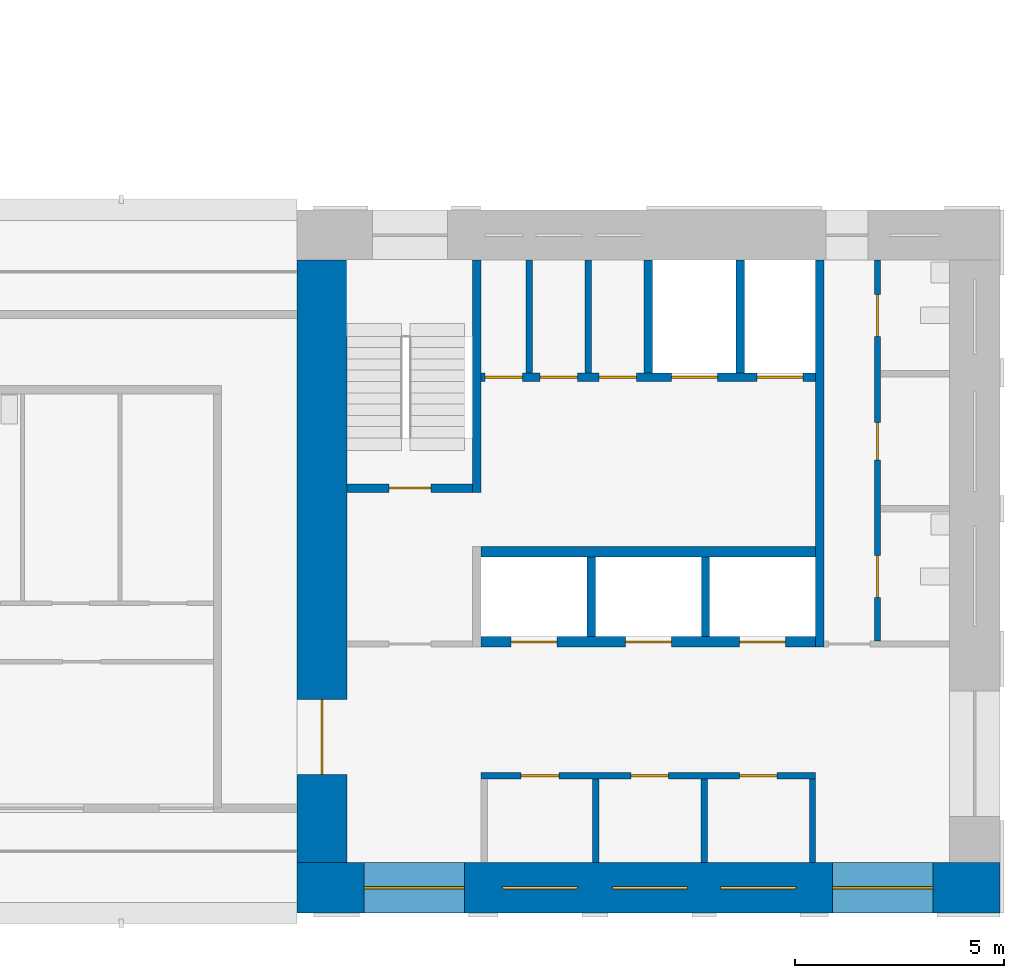
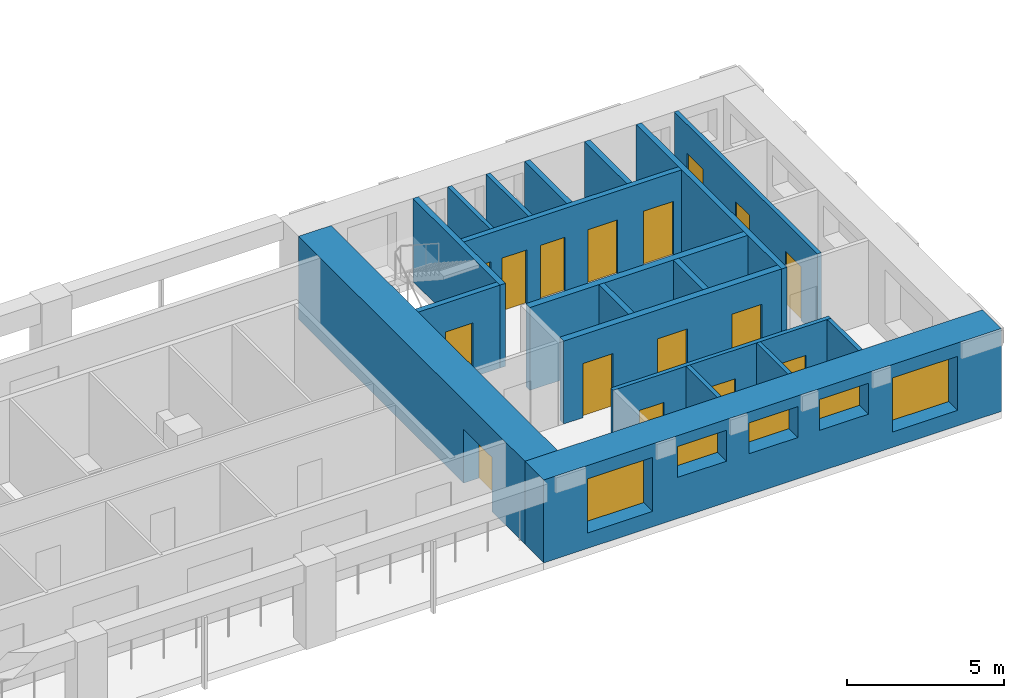
# One storey, part 4 of 10: 19 walls, 16 doors, 5 windows, 21 openings.
"""IFC4 building model written with IfcOpenShell, lengths in metres."""

from ifc_helpers import new_model, si_unit, direction, frame, frame_2d, origin, place, context, subcontext, project, spatial, rectangle, extrude, material, layer, layer_set, type_object, element, fill, save


model = new_model("IFC4")

# Units and contexts
model_context = context("Model", 3, precision=1e-05, world=origin(), true_north=direction((0.0, 1.0)))
body_context = subcontext(model_context, "Body", "Model", "MODEL_VIEW")
ifc_project = project(units=[si_unit("LENGTHUNIT", "METRE"), si_unit("AREAUNIT", "SQUARE_METRE"), si_unit("VOLUMEUNIT", "CUBIC_METRE"), si_unit("PLANEANGLEUNIT", "RADIAN"), si_unit("MASSUNIT", "GRAM", prefix="KILO")], contexts=[model_context])

# Site, building, storey
site_placement = place(None, origin())
site = spatial("IfcSite", under=ifc_project, at=site_placement, CompositionType="ELEMENT")
building_placement = place(site_placement, origin())
building = spatial("IfcBuilding", under=site, at=building_placement, Name="Vermilion Gate Residences", CompositionType="ELEMENT")
storey_placement = place(building_placement, frame((0.0, 0.0, 270.199951171875)))
storey = spatial("IfcBuildingStorey", under=building, at=storey_placement, Name="L71", CompositionType="ELEMENT", Elevation=270.199951171875)

# Walls
ifc_material_1 = material(Name="Masonry blockwork", Category="masonry")
ifc_layer_1 = layer(ifc_material_1, 0.14990234375)
ifc_layer_set_1 = layer_set([ifc_layer_1], Name="BLOCKWORK PARTITION 150 EI 120")
wall_type_1 = type_object("IfcWallType", Name="BLOCKWORK PARTITION 150 EI 120", PredefinedType="PARTITIONING", material=ifc_layer_set_1)
for number, where, z_axis, x_axis, name in (
    (1, (54.324951171875, 9.60009765625, 0.0), (0.0, 0.0, 1.0), (0.0, 1.0, 0.0), "Core room partition A71-RW-E"),
    (2, (49.14111328125, 9.60009765625, 0.0), (0.0, 0.0, 1.0), (0.0, 1.0, 0.0), "Core room partition A71-SR-P0"),
    (3, (51.73291015625, 9.60009765625, 0.0), (0.0, 0.0, 1.0), (0.0, 1.0, 0.0), "Core room partition A71-SR-P1"),
):
    element("IfcWall", number, at=place(storey_placement, frame(where, z_axis=z_axis, x_axis=x_axis)), inside=storey, type_object=wall_type_1, Name=name, PredefinedType="PARTITIONING", context=body_context, shape_type="SweptSolid", body=[
        extrude(rectangle(XDim=2.0, YDim=0.14990234375, at=frame_2d((1.0, 0.0))), origin(), (0.0, 0.0, 1.0), 3.219970703125),
    ])

# Wall, openings, doors
wall_1_placement = place(storey_placement, frame((46.39990234375, 11.675048828125, 0.0), z_axis=(0.0, 0.0, 1.0), x_axis=(1.0, 0.0, 0.0)))
wall_1 = element("IfcWall", 4, at=wall_1_placement, inside=storey, type_object=wall_type_1, Name="Core room partition A71-LR-F", PredefinedType="PARTITIONING", context=body_context, shape_type="SweptSolid", body=[
    extrude(rectangle(XDim=8.0, YDim=0.14990234375, at=frame_2d((4.0, 0.0))), origin(), (0.0, 0.0, 1.0), 3.219970703125),
])
opening_1_placement = place(wall_1_placement, frame((0.9580078125, 0.0, 0.0)))
opening_1 = element("IfcOpeningElement", 5, at=opening_1_placement, cuts=wall_1, Name="Opening DK71002", PredefinedType="OPENING", context=body_context, shape_type="SweptSolid", body=[
    extrude(rectangle(XDim=0.89990234375, YDim=2.10009765625, at=frame_2d((0.449951171875, 1.050048828125))), frame((0.0, 0.0849609375, 0.0), z_axis=(0.0, -1.0, 0.0), x_axis=(1.0, 0.0, 0.0)), (0.0, 0.0, 1.0), 0.169921875),
])
opening_2_placement = place(wall_1_placement, frame((3.5869140625, 0.0, 0.0)))
opening_2 = element("IfcOpeningElement", 6, at=opening_2_placement, cuts=wall_1, Name="Opening DK71003", PredefinedType="OPENING", context=body_context, shape_type="SweptSolid", body=[
    extrude(rectangle(XDim=0.89990234375, YDim=2.10009765625, at=frame_2d((0.449951171875, 1.050048828125))), frame((0.0, 0.0849609375, 0.0), z_axis=(0.0, -1.0, 0.0), x_axis=(1.0, 0.0, 0.0)), (0.0, 0.0, 1.0), 0.169921875),
])
opening_3_placement = place(wall_1_placement, frame((6.178955078125, 0.0, 0.0)))
opening_3 = element("IfcOpeningElement", 7, at=opening_3_placement, cuts=wall_1, Name="Opening DK71004", PredefinedType="OPENING", context=body_context, shape_type="SweptSolid", body=[
    extrude(rectangle(XDim=0.89990234375, YDim=2.10009765625, at=frame_2d((0.449951171875, 1.050048828125))), frame((0.0, 0.0849609375, 0.0), z_axis=(0.0, -1.0, 0.0), x_axis=(1.0, 0.0, 0.0)), (0.0, 0.0, 1.0), 0.169921875),
])
ifc_material_2 = material(Name="Steel", Category="steel")
door_type_1 = type_object("IfcDoorType", Name="SERVICE ROOM DOOR FD60 900 X 2100", OperationType="SINGLE_SWING_LEFT", PredefinedType="DOOR", material=ifc_material_2)
door_1_placement = place(opening_1_placement, frame((0.89990234375, 0.0, 0.0), z_axis=(0.0, 0.0, 1.0), x_axis=(-1.0, 0.0, 0.0)))
door_1 = element("IfcDoor", 8, at=door_1_placement, inside=storey, type_object=door_type_1, Name="Mail room A71", OperationType="SINGLE_SWING_RIGHT", OverallHeight=2.10009765625, OverallWidth=0.89990234375, PredefinedType="DOOR", context=body_context, shape_type="SweptSolid", body=[
    extrude(rectangle(XDim=0.89990234375, YDim=2.10009765625, at=frame_2d((0.449951171875, 1.050048828125))), frame((0.0, 0.02490234375, 0.0), z_axis=(0.0, -1.0, 0.0), x_axis=(1.0, 0.0, 0.0)), (0.0, 0.0, 1.0), 0.050048828125),
])
fill(opening_1, door_1)
door_2_placement = place(opening_2_placement, frame((0.89990234375, 0.0, 0.0), z_axis=(0.0, 0.0, 1.0), x_axis=(-1.0, 0.0, 0.0)))
door_2 = element("IfcDoor", 9, at=door_2_placement, inside=storey, type_object=door_type_1, Name="Cleaner's store A71", OperationType="SINGLE_SWING_LEFT", OverallHeight=2.10009765625, OverallWidth=0.89990234375, PredefinedType="DOOR", context=body_context, shape_type="SweptSolid", body=[
    extrude(rectangle(XDim=0.89990234375, YDim=2.10009765625, at=frame_2d((0.449951171875, 1.050048828125))), frame((0.0, 0.02490234375, 0.0), z_axis=(0.0, -1.0, 0.0), x_axis=(1.0, 0.0, 0.0)), (0.0, 0.0, 1.0), 0.050048828125),
])
fill(opening_2, door_2)
door_3_placement = place(opening_3_placement, origin())
door_3 = element("IfcDoor", 10, at=door_3_placement, inside=storey, type_object=door_type_1, Name="Electrical room A71", OperationType="SINGLE_SWING_LEFT", OverallHeight=2.10009765625, OverallWidth=0.89990234375, PredefinedType="DOOR", context=body_context, shape_type="SweptSolid", body=[
    extrude(rectangle(XDim=0.89990234375, YDim=2.10009765625, at=frame_2d((0.449951171875, 1.050048828125))), frame((0.0, 0.02490234375, 0.0), z_axis=(0.0, -1.0, 0.0), x_axis=(1.0, 0.0, 0.0)), (0.0, 0.0, 1.0), 0.050048828125),
])
fill(opening_3, door_3)

# Walls
for number, where, z_axis, x_axis, name in (
    (11, (47.554931640625, 21.300048828125, 0.0), (0.0, 0.0, 1.0), (0.0, 1.0, 0.0), "Core room partition A71-NR-P0"),
    (12, (48.965087890625, 21.300048828125, 0.0), (0.0, 0.0, 1.0), (0.0, 1.0, 0.0), "Core room partition A71-NR-P1"),
):
    element("IfcWall", number, at=place(storey_placement, frame(where, z_axis=z_axis, x_axis=x_axis)), inside=storey, type_object=wall_type_1, Name=name, PredefinedType="PARTITIONING", context=body_context, shape_type="SweptSolid", body=[
        extrude(rectangle(XDim=2.699951171875, YDim=0.14990234375, at=frame_2d((1.35009765625, 0.0))), origin(), (0.0, 0.0, 1.0), 3.219970703125),
    ])

# Wall, openings, doors
wall_2_placement = place(storey_placement, frame((55.875, 14.89990234375, 0.0), z_axis=(0.0, 0.0, 1.0), x_axis=(0.0, 1.0, 0.0)))
wall_2 = element("IfcWall", 13, at=wall_2_placement, inside=storey, type_object=wall_type_1, Name="Core room partition A71-ES-W", PredefinedType="PARTITIONING", context=body_context, shape_type="SweptSolid", body=[
    extrude(rectangle(XDim=9.10009765625, YDim=0.14990234375, at=frame_2d((4.550048828125, 0.0))), origin(), (0.0, 0.0, 1.0), 3.219970703125),
])
opening_4_placement = place(wall_2_placement, frame((1.0400390625, 0.0, 0.0)))
opening_4 = element("IfcOpeningElement", 14, at=opening_4_placement, cuts=wall_2, Name="Opening DK71016", PredefinedType="OPENING", context=body_context, shape_type="SweptSolid", body=[
    extrude(rectangle(XDim=1.0, YDim=2.10009765625, at=frame_2d((0.5, 1.050048828125))), frame((0.0, 0.0849609375, 0.0), z_axis=(0.0, -1.0, 0.0), x_axis=(1.0, 0.0, 0.0)), (0.0, 0.0, 1.0), 0.169921875),
])
opening_5_placement = place(wall_2_placement, frame((4.320068359375, 0.0, 0.0)))
opening_5 = element("IfcOpeningElement", 15, at=opening_5_placement, cuts=wall_2, Name="Opening DK71017", PredefinedType="OPENING", context=body_context, shape_type="SweptSolid", body=[
    extrude(rectangle(XDim=0.89990234375, YDim=2.10009765625, at=frame_2d((0.449951171875, 1.050048828125))), frame((0.0, 0.0849609375, 0.0), z_axis=(0.0, -1.0, 0.0), x_axis=(1.0, 0.0, 0.0)), (0.0, 0.0, 1.0), 0.169921875),
])
opening_6_placement = place(wall_2_placement, frame((7.280029296875, 0.0, 0.0)))
opening_6 = element("IfcOpeningElement", 16, at=opening_6_placement, cuts=wall_2, Name="Opening DK71018", PredefinedType="OPENING", context=body_context, shape_type="SweptSolid", body=[
    extrude(rectangle(XDim=1.0, YDim=2.10009765625, at=frame_2d((0.5, 1.050048828125))), frame((0.0, 0.0849609375, 0.0), z_axis=(0.0, -1.0, 0.0), x_axis=(1.0, 0.0, 0.0)), (0.0, 0.0, 1.0), 0.169921875),
])
ifc_material_3 = material(Name="Steel", Category="steel")
door_type_2 = type_object("IfcDoorType", Name="FIRE DOOR FD60 1000 X 2100", OperationType="SINGLE_SWING_LEFT", PredefinedType="DOOR", material=ifc_material_3)
door_4_placement = place(opening_4_placement, frame((1.0, 0.0, 0.0), z_axis=(0.0, 0.0, 1.0), x_axis=(-1.0, 0.0, 0.0)))
door_4 = element("IfcDoor", 17, at=door_4_placement, inside=storey, type_object=door_type_2, Name="Accessible WC A71", OperationType="SINGLE_SWING_LEFT", OverallHeight=2.10009765625, OverallWidth=1.0, PredefinedType="DOOR", context=body_context, shape_type="SweptSolid", body=[
    extrude(rectangle(XDim=1.0, YDim=2.10009765625, at=frame_2d((0.5, 1.050048828125))), frame((0.0, 0.02490234375, 0.0), z_axis=(0.0, -1.0, 0.0), x_axis=(1.0, 0.0, 0.0)), (0.0, 0.0, 1.0), 0.050048828125),
])
fill(opening_4, door_4)
door_5_placement = place(opening_6_placement, frame((1.0, 0.0, 0.0), z_axis=(0.0, 0.0, 1.0), x_axis=(-1.0, 0.0, 0.0)))
door_5 = element("IfcDoor", 18, at=door_5_placement, inside=storey, type_object=door_type_2, Name="Accessible WC A71", OperationType="SINGLE_SWING_RIGHT", OverallHeight=2.10009765625, OverallWidth=1.0, PredefinedType="DOOR", context=body_context, shape_type="SweptSolid", body=[
    extrude(rectangle(XDim=1.0, YDim=2.10009765625, at=frame_2d((0.5, 1.050048828125))), frame((0.0, 0.02490234375, 0.0), z_axis=(0.0, -1.0, 0.0), x_axis=(1.0, 0.0, 0.0)), (0.0, 0.0, 1.0), 0.050048828125),
])
fill(opening_6, door_5)
door_6_placement = place(opening_5_placement, frame((0.89990234375, 0.0, 0.0), z_axis=(0.0, 0.0, 1.0), x_axis=(-1.0, 0.0, 0.0)))
door_6 = element("IfcDoor", 19, at=door_6_placement, inside=storey, type_object=door_type_1, Name="Communications room A71", OperationType="SINGLE_SWING_RIGHT", OverallHeight=2.10009765625, OverallWidth=0.89990234375, PredefinedType="DOOR", context=body_context, shape_type="SweptSolid", body=[
    extrude(rectangle(XDim=0.89990234375, YDim=2.10009765625, at=frame_2d((0.449951171875, 1.050048828125))), frame((0.0, 0.02490234375, 0.0), z_axis=(0.0, -1.0, 0.0), x_axis=(1.0, 0.0, 0.0)), (0.0, 0.0, 1.0), 0.050048828125),
])
fill(opening_5, door_6)

# Walls
ifc_material_4 = material(Name="Concrete C60", Category="concrete")
ifc_layer_2 = layer(ifc_material_4, 0.199951171875)
ifc_layer_set_2 = layer_set([ifc_layer_2], Name="RC CORE INTERNAL WALL 200 C60")
wall_type_2 = type_object("IfcWallType", Name="RC CORE INTERNAL WALL 200 C60", PredefinedType="SHEAR", material=ifc_layer_set_2)
for number, where, z_axis, x_axis, name in (
    (20, (49.033447265625, 15.0, 0.0), (0.0, 0.0, 1.0), (0.0, 1.0, 0.0), "Core internal wall A71-HR-D1"),
    (21, (51.7666015625, 15.0, 0.0), (0.0, 0.0, 1.0), (0.0, 1.0, 0.0), "Core internal wall A71-HR-D2"),
):
    element("IfcWall", number, at=place(storey_placement, frame(where, z_axis=z_axis, x_axis=x_axis)), inside=storey, type_object=wall_type_2, Name=name, PredefinedType="SHEAR", context=body_context, shape_type="SweptSolid", body=[
        extrude(rectangle(XDim=1.89990234375, YDim=0.199951171875, at=frame_2d((0.949951171875, 0.0))), origin(), (0.0, 0.0, 1.0), 3.219970703125),
    ])
for number, where, z_axis, x_axis, name in (
    (22, (50.39990234375, 21.300048828125, 0.0), (0.0, 0.0, 1.0), (0.0, 1.0, 0.0), "Core internal wall A71-FF-D0"),
    (23, (52.60009765625, 21.300048828125, 0.0), (0.0, 0.0, 1.0), (0.0, 1.0, 0.0), "Core internal wall A71-FF-D1"),
):
    element("IfcWall", number, at=place(storey_placement, frame(where, z_axis=z_axis, x_axis=x_axis)), inside=storey, type_object=wall_type_2, Name=name, PredefinedType="SHEAR", context=body_context, shape_type="SweptSolid", body=[
        extrude(rectangle(XDim=2.699951171875, YDim=0.199951171875, at=frame_2d((1.35009765625, 0.0))), origin(), (0.0, 0.0, 1.0), 3.219970703125),
    ])

# Wall, openings, doors
wall_3_placement = place(storey_placement, frame((46.39990234375, 21.199951171875, 0.0), z_axis=(0.0, 0.0, 1.0), x_axis=(1.0, 0.0, 0.0)))
wall_3 = element("IfcWall", 24, at=wall_3_placement, inside=storey, type_object=wall_type_2, Name="Core internal wall A71-FF-F", PredefinedType="SHEAR", context=body_context, shape_type="SweptSolid", body=[
    extrude(rectangle(XDim=8.0, YDim=0.199951171875, at=frame_2d((4.0, 0.0))), origin(), (0.0, 0.0, 1.0), 3.219970703125),
])
opening_7_placement = place(wall_3_placement, frame((0.090087890625, 0.0, 0.0)))
opening_7 = element("IfcOpeningElement", 25, at=opening_7_placement, cuts=wall_3, Name="Opening DK71008", PredefinedType="OPENING", context=body_context, shape_type="SweptSolid", body=[
    extrude(rectangle(XDim=0.89990234375, YDim=2.10009765625, at=frame_2d((0.449951171875, 1.050048828125))), frame((0.0, 0.10986328125, 0.0), z_axis=(0.0, -1.0, 0.0), x_axis=(1.0, 0.0, 0.0)), (0.0, 0.0, 1.0), 0.219970703125),
])
opening_8_placement = place(wall_3_placement, frame((1.409912109375, 0.0, 0.0)))
opening_8 = element("IfcOpeningElement", 26, at=opening_8_placement, cuts=wall_3, Name="Opening DK71009", PredefinedType="OPENING", context=body_context, shape_type="SweptSolid", body=[
    extrude(rectangle(XDim=0.89990234375, YDim=2.10009765625, at=frame_2d((0.449951171875, 1.050048828125))), frame((0.0, 0.10986328125, 0.0), z_axis=(0.0, -1.0, 0.0), x_axis=(1.0, 0.0, 0.0)), (0.0, 0.0, 1.0), 0.219970703125),
])
opening_9_placement = place(wall_3_placement, frame((2.820068359375, 0.0, 0.0)))
opening_9 = element("IfcOpeningElement", 27, at=opening_9_placement, cuts=wall_3, Name="Opening DK71010", PredefinedType="OPENING", context=body_context, shape_type="SweptSolid", body=[
    extrude(rectangle(XDim=0.89990234375, YDim=2.10009765625, at=frame_2d((0.449951171875, 1.050048828125))), frame((0.0, 0.10986328125, 0.0), z_axis=(0.0, -1.0, 0.0), x_axis=(1.0, 0.0, 0.0)), (0.0, 0.0, 1.0), 0.219970703125),
])
opening_10_placement = place(wall_3_placement, frame((4.550048828125, 0.0, 0.0)))
opening_10 = element("IfcOpeningElement", 28, at=opening_10_placement, cuts=wall_3, Name="Opening LD", PredefinedType="OPENING", context=body_context, shape_type="SweptSolid", body=[
    extrude(rectangle(XDim=1.10009765625, YDim=2.10009765625, at=frame_2d((0.550048828125, 1.050048828125))), frame((0.0, 0.10986328125, 0.0), z_axis=(0.0, -1.0, 0.0), x_axis=(1.0, 0.0, 0.0)), (0.0, 0.0, 1.0), 0.219970703125),
])
opening_11_placement = place(wall_3_placement, frame((6.60009765625, 0.0, 0.0)))
opening_11 = element("IfcOpeningElement", 29, at=opening_11_placement, cuts=wall_3, Name="Opening LD", PredefinedType="OPENING", context=body_context, shape_type="SweptSolid", body=[
    extrude(rectangle(XDim=1.10009765625, YDim=2.10009765625, at=frame_2d((0.550048828125, 1.050048828125))), frame((0.0, 0.10986328125, 0.0), z_axis=(0.0, -1.0, 0.0), x_axis=(1.0, 0.0, 0.0)), (0.0, 0.0, 1.0), 0.219970703125),
])
ifc_material_5 = material(Name="Stainless steel", Category="steel")
door_type_3 = type_object("IfcDoorType", Name="LIFT LANDING DOOR E60 1100 X 2100", OperationType="DOUBLE_DOOR_SLIDING", PredefinedType="DOOR", material=ifc_material_5)
door_7_placement = place(opening_10_placement, origin())
door_7 = element("IfcDoor", 30, at=door_7_placement, inside=storey, type_object=door_type_3, Name="Lift landing door LFA1", OperationType="DOUBLE_DOOR_SLIDING", OverallHeight=2.10009765625, OverallWidth=1.10009765625, PredefinedType="DOOR", context=body_context, shape_type="SweptSolid", body=[
    extrude(rectangle(XDim=1.10009765625, YDim=2.10009765625, at=frame_2d((0.550048828125, 1.050048828125))), frame((0.0, 0.02490234375, 0.0), z_axis=(0.0, -1.0, 0.0), x_axis=(1.0, 0.0, 0.0)), (0.0, 0.0, 1.0), 0.050048828125),
])
fill(opening_10, door_7)
door_8_placement = place(opening_11_placement, origin())
door_8 = element("IfcDoor", 31, at=door_8_placement, inside=storey, type_object=door_type_3, Name="Lift landing door LCA1", OperationType="DOUBLE_DOOR_SLIDING", OverallHeight=2.10009765625, OverallWidth=1.10009765625, PredefinedType="DOOR", context=body_context, shape_type="SweptSolid", body=[
    extrude(rectangle(XDim=1.10009765625, YDim=2.10009765625, at=frame_2d((0.550048828125, 1.050048828125))), frame((0.0, 0.02490234375, 0.0), z_axis=(0.0, -1.0, 0.0), x_axis=(1.0, 0.0, 0.0)), (0.0, 0.0, 1.0), 0.050048828125),
])
fill(opening_11, door_8)
door_9_placement = place(opening_7_placement, origin())
door_9 = element("IfcDoor", 32, at=door_9_placement, inside=storey, type_object=door_type_1, Name="Housekeeping store A71", OperationType="SINGLE_SWING_RIGHT", OverallHeight=2.10009765625, OverallWidth=0.89990234375, PredefinedType="DOOR", context=body_context, shape_type="SweptSolid", body=[
    extrude(rectangle(XDim=0.89990234375, YDim=2.10009765625, at=frame_2d((0.449951171875, 1.050048828125))), frame((0.0, 0.02490234375, 0.0), z_axis=(0.0, -1.0, 0.0), x_axis=(1.0, 0.0, 0.0)), (0.0, 0.0, 1.0), 0.050048828125),
])
fill(opening_7, door_9)
door_10_placement = place(opening_8_placement, origin())
door_10 = element("IfcDoor", 33, at=door_10_placement, inside=storey, type_object=door_type_1, Name="Mail room A71", OperationType="SINGLE_SWING_LEFT", OverallHeight=2.10009765625, OverallWidth=0.89990234375, PredefinedType="DOOR", context=body_context, shape_type="SweptSolid", body=[
    extrude(rectangle(XDim=0.89990234375, YDim=2.10009765625, at=frame_2d((0.449951171875, 1.050048828125))), frame((0.0, 0.02490234375, 0.0), z_axis=(0.0, -1.0, 0.0), x_axis=(1.0, 0.0, 0.0)), (0.0, 0.0, 1.0), 0.050048828125),
])
fill(opening_8, door_10)
door_11_placement = place(opening_9_placement, origin())
door_11 = element("IfcDoor", 34, at=door_11_placement, inside=storey, type_object=door_type_1, Name="Electrical riser A71", OperationType="SINGLE_SWING_LEFT", OverallHeight=2.10009765625, OverallWidth=0.89990234375, PredefinedType="DOOR", context=body_context, shape_type="SweptSolid", body=[
    extrude(rectangle(XDim=0.89990234375, YDim=2.10009765625, at=frame_2d((0.449951171875, 1.050048828125))), frame((0.0, 0.02490234375, 0.0), z_axis=(0.0, -1.0, 0.0), x_axis=(1.0, 0.0, 0.0)), (0.0, 0.0, 1.0), 0.050048828125),
])
fill(opening_9, door_11)

# Wall
wall_4_placement = place(storey_placement, frame((46.300048828125, 18.449951171875, 0.0), z_axis=(0.0, 0.0, 1.0), x_axis=(0.0, 1.0, 0.0)))
element("IfcWall", 35, at=wall_4_placement, inside=storey, type_object=wall_type_2, Name="Core internal wall A71-WDIV2", PredefinedType="SHEAR", context=body_context, shape_type="SweptSolid", body=[
    extrude(rectangle(XDim=5.550048828125, YDim=0.199951171875, at=frame_2d((2.77490234375, 0.0))), origin(), (0.0, 0.0, 1.0), 3.219970703125),
])

# Wall, opening, door
wall_5_placement = place(storey_placement, frame((43.199951171875, 18.550048828125, 0.0), z_axis=(0.0, 0.0, 1.0), x_axis=(1.0, 0.0, 0.0)))
wall_5 = element("IfcWall", 36, at=wall_5_placement, inside=storey, type_object=wall_type_2, Name="Core internal wall A71-STW-S", PredefinedType="SHEAR", context=body_context, shape_type="SweptSolid", body=[
    extrude(rectangle(XDim=3.0, YDim=0.199951171875, at=frame_2d((1.5, 0.0))), origin(), (0.0, 0.0, 1.0), 3.219970703125),
])
opening_12_placement = place(wall_5_placement, frame((1.0, 0.0, 0.0)))
opening_12 = element("IfcOpeningElement", 37, at=opening_12_placement, cuts=wall_5, Name="Opening DK71014", PredefinedType="OPENING", context=body_context, shape_type="SweptSolid", body=[
    extrude(rectangle(XDim=1.0, YDim=2.10009765625, at=frame_2d((0.5, 1.050048828125))), frame((0.0, 0.10986328125, 0.0), z_axis=(0.0, -1.0, 0.0), x_axis=(1.0, 0.0, 0.0)), (0.0, 0.0, 1.0), 0.219970703125),
])
door_12_placement = place(opening_12_placement, origin())
door_12 = element("IfcDoor", 38, at=door_12_placement, inside=storey, type_object=door_type_2, Name="Stair door A71", OperationType="SINGLE_SWING_LEFT", OverallHeight=2.10009765625, OverallWidth=1.0, PredefinedType="DOOR", context=body_context, shape_type="SweptSolid", body=[
    extrude(rectangle(XDim=1.0, YDim=2.10009765625, at=frame_2d((0.5, 1.050048828125))), frame((0.0, 0.02490234375, 0.0), z_axis=(0.0, -1.0, 0.0), x_axis=(1.0, 0.0, 0.0)), (0.0, 0.0, 1.0), 0.050048828125),
])
fill(opening_12, door_12)

# Wall
wall_6_placement = place(storey_placement, frame((54.5, 14.75, 0.0), z_axis=(0.0, 0.0, 1.0), x_axis=(0.0, 1.0, 0.0)))
element("IfcWall", 39, at=wall_6_placement, inside=storey, type_object=wall_type_2, Name="Core internal wall A71-EDIV", PredefinedType="SHEAR", context=body_context, shape_type="SweptSolid", body=[
    extrude(rectangle(XDim=9.25, YDim=0.199951171875, at=frame_2d((4.625, 0.0))), origin(), (0.0, 0.0, 1.0), 3.219970703125),
])

# Wall, opening, door
ifc_material_6 = material(Name="Concrete C50", Category="concrete")
ifc_layer_3 = layer(ifc_material_6, 1.199951171875)
ifc_layer_set_3 = layer_set([ifc_layer_3], Name="RC CORE WALL 1200 C50")
wall_type_3 = type_object("IfcWallType", Name="RC CORE WALL 1200 C50", PredefinedType="SHEAR", material=ifc_layer_set_3)
wall_7_placement = place(storey_placement, frame((42.60009765625, 9.60009765625, 0.0), z_axis=(0.0, 0.0, 1.0), x_axis=(0.0, 1.0, 0.0)))
wall_7 = element("IfcWall", 40, at=wall_7_placement, inside=storey, type_object=wall_type_3, Name="Core wall A71-OUT-FR", PredefinedType="SHEAR", context=body_context, shape_type="SweptSolid", body=[
    extrude(rectangle(XDim=14.39990234375, YDim=1.199951171875, at=frame_2d((7.199951171875, 0.0))), origin(), (0.0, 0.0, 1.0), 3.219970703125),
])
opening_13_placement = place(wall_7_placement, frame((2.10009765625, 0.0, 0.0)))
opening_13 = element("IfcOpeningElement", 41, at=opening_13_placement, cuts=wall_7, Name="Opening DK71001", PredefinedType="OPENING", context=body_context, shape_type="SweptSolid", body=[
    extrude(rectangle(XDim=1.800048828125, YDim=2.10009765625, at=frame_2d((0.89990234375, 1.050048828125))), frame((0.0, 0.60986328125, 0.0), z_axis=(0.0, -1.0, 0.0), x_axis=(1.0, 0.0, 0.0)), (0.0, 0.0, 1.0), 1.219970703125),
])
ifc_material_7 = material(Name="Steel", Category="steel")
door_type_4 = type_object("IfcDoorType", Name="CORE LOBBY DOOR FD60 1800 X 2100", OperationType="DOUBLE_DOOR_SINGLE_SWING", PredefinedType="DOOR", material=ifc_material_7)
door_13_placement = place(opening_13_placement, frame((1.800048828125, 0.0, 0.0), z_axis=(0.0, 0.0, 1.0), x_axis=(-1.0, 0.0, 0.0)))
door_13 = element("IfcDoor", 42, at=door_13_placement, inside=storey, type_object=door_type_4, Name="Core lobby door A71", OperationType="DOUBLE_DOOR_SINGLE_SWING", OverallHeight=2.10009765625, OverallWidth=1.800048828125, PredefinedType="DOOR", context=body_context, shape_type="SweptSolid", body=[
    extrude(rectangle(XDim=1.800048828125, YDim=2.10009765625, at=frame_2d((0.89990234375, 1.050048828125))), frame((0.0, 0.02490234375, 0.0), z_axis=(0.0, -1.0, 0.0), x_axis=(1.0, 0.0, 0.0)), (0.0, 0.0, 1.0), 0.050048828125),
])
fill(opening_13, door_13)

# Wall, openings, windows
ifc_material_8 = material(Name="Concrete C50 red-oxide pigmented", Category="concrete")
ifc_layer_4 = layer(ifc_material_8, 1.199951171875)
ifc_layer_set_4 = layer_set([ifc_layer_4], Name="RC CORE WALL 1200 C50 RED OXIDE")
wall_type_4 = type_object("IfcWallType", Name="RC CORE WALL 1200 C50 RED OXIDE", PredefinedType="SHEAR", material=ifc_layer_set_4)
wall_8_placement = place(storey_placement, frame((42.0, 9.0, 0.0), z_axis=(0.0, 0.0, 1.0), x_axis=(1.0, 0.0, 0.0)))
wall_8 = element("IfcWall", 43, at=wall_8_placement, inside=storey, type_object=wall_type_4, Name="Core wall A71-OUT-B0", PredefinedType="SHEAR", context=body_context, shape_type="SweptSolid", body=[
    extrude(rectangle(XDim=16.800048828125, YDim=1.199951171875, at=frame_2d((8.39990234375, 0.0))), origin(), (0.0, 0.0, 1.0), 3.219970703125),
])
opening_14_placement = place(wall_8_placement, frame((1.60009765625, 0.0, 0.60009765625)))
opening_14 = element("IfcOpeningElement", 44, at=opening_14_placement, cuts=wall_8, Name="Opening WKA7101", PredefinedType="OPENING", context=body_context, shape_type="SweptSolid", body=[
    extrude(rectangle(XDim=2.39990234375, YDim=2.10009765625, at=frame_2d((1.199951171875, 1.050048828125))), frame((0.0, 0.60986328125, 0.0), z_axis=(0.0, -1.0, 0.0), x_axis=(1.0, 0.0, 0.0)), (0.0, 0.0, 1.0), 1.219970703125),
])
opening_15_placement = place(wall_8_placement, frame((4.907958984375, 0.0, 1.60009765625)))
opening_15 = element("IfcOpeningElement", 45, at=opening_15_placement, cuts=wall_8, Name="Opening WKA7102", PredefinedType="OPENING", context=body_context, shape_type="SweptSolid", body=[
    extrude(rectangle(XDim=1.800048828125, YDim=1.199951171875, at=frame_2d((0.89990234375, 0.60009765625))), frame((0.0, 0.60986328125, 0.0), z_axis=(0.0, -1.0, 0.0), x_axis=(1.0, 0.0, 0.0)), (0.0, 0.0, 1.0), 1.219970703125),
])
opening_16_placement = place(wall_8_placement, frame((7.537109375, 0.0, 1.60009765625)))
opening_16 = element("IfcOpeningElement", 46, at=opening_16_placement, cuts=wall_8, Name="Opening WKA7103", PredefinedType="OPENING", context=body_context, shape_type="SweptSolid", body=[
    extrude(rectangle(XDim=1.800048828125, YDim=1.199951171875, at=frame_2d((0.89990234375, 0.60009765625))), frame((0.0, 0.60986328125, 0.0), z_axis=(0.0, -1.0, 0.0), x_axis=(1.0, 0.0, 0.0)), (0.0, 0.0, 1.0), 1.219970703125),
])
opening_17_placement = place(wall_8_placement, frame((10.12890625, 0.0, 1.60009765625)))
opening_17 = element("IfcOpeningElement", 47, at=opening_17_placement, cuts=wall_8, Name="Opening WKA7104", PredefinedType="OPENING", context=body_context, shape_type="SweptSolid", body=[
    extrude(rectangle(XDim=1.800048828125, YDim=1.199951171875, at=frame_2d((0.89990234375, 0.60009765625))), frame((0.0, 0.60986328125, 0.0), z_axis=(0.0, -1.0, 0.0), x_axis=(1.0, 0.0, 0.0)), (0.0, 0.0, 1.0), 1.219970703125),
])
opening_18_placement = place(wall_8_placement, frame((12.800048828125, 0.0, 0.60009765625)))
opening_18 = element("IfcOpeningElement", 48, at=opening_18_placement, cuts=wall_8, Name="Opening WKA7105", PredefinedType="OPENING", context=body_context, shape_type="SweptSolid", body=[
    extrude(rectangle(XDim=2.39990234375, YDim=2.10009765625, at=frame_2d((1.199951171875, 1.050048828125))), frame((0.0, 0.60986328125, 0.0), z_axis=(0.0, -1.0, 0.0), x_axis=(1.0, 0.0, 0.0)), (0.0, 0.0, 1.0), 1.219970703125),
])
ifc_material_9 = material(Name="Aluminium and clear glass", Category="aluminium")
window_type_1 = type_object("IfcWindowType", Name="CORE LOBBY WINDOW 2400 X 2100", PartitioningType="SINGLE_PANEL", PredefinedType="WINDOW", material=ifc_material_9)
window_1_placement = place(opening_14_placement, origin())
window_1 = element("IfcWindow", 49, at=window_1_placement, inside=storey, type_object=window_type_1, Name="Core lobby window", OverallHeight=2.10009765625, OverallWidth=2.39990234375, PartitioningType="SINGLE_PANEL", PredefinedType="WINDOW", context=body_context, shape_type="SweptSolid", body=[
    extrude(rectangle(XDim=2.39990234375, YDim=2.10009765625, at=frame_2d((1.199951171875, 1.050048828125))), frame((0.0, 0.030029296875, 0.0), z_axis=(0.0, -1.0, 0.0), x_axis=(1.0, 0.0, 0.0)), (0.0, 0.0, 1.0), 0.06005859375),
])
fill(opening_14, window_1)
window_2_placement = place(opening_18_placement, origin())
window_2 = element("IfcWindow", 50, at=window_2_placement, inside=storey, type_object=window_type_1, Name="Core lobby window", OverallHeight=2.10009765625, OverallWidth=2.39990234375, PartitioningType="SINGLE_PANEL", PredefinedType="WINDOW", context=body_context, shape_type="SweptSolid", body=[
    extrude(rectangle(XDim=2.39990234375, YDim=2.10009765625, at=frame_2d((1.199951171875, 1.050048828125))), frame((0.0, 0.030029296875, 0.0), z_axis=(0.0, -1.0, 0.0), x_axis=(1.0, 0.0, 0.0)), (0.0, 0.0, 1.0), 0.06005859375),
])
fill(opening_18, window_2)
ifc_material_10 = material(Name="Aluminium frame with louvre blades", Category="aluminium")
window_type_2 = type_object("IfcWindowType", Name="CORE LOUVRE 1800 X 1200", PartitioningType="SINGLE_PANEL", PredefinedType="WINDOW", material=ifc_material_10)
window_3_placement = place(opening_15_placement, origin())
window_3 = element("IfcWindow", 51, at=window_3_placement, inside=storey, type_object=window_type_2, Name="Core louvre", OverallHeight=1.199951171875, OverallWidth=1.800048828125, PartitioningType="SINGLE_PANEL", PredefinedType="WINDOW", context=body_context, shape_type="SweptSolid", body=[
    extrude(rectangle(XDim=1.800048828125, YDim=1.199951171875, at=frame_2d((0.89990234375, 0.60009765625))), frame((0.0, 0.030029296875, 0.0), z_axis=(0.0, -1.0, 0.0), x_axis=(1.0, 0.0, 0.0)), (0.0, 0.0, 1.0), 0.06005859375),
])
fill(opening_15, window_3)
window_4_placement = place(opening_16_placement, origin())
window_4 = element("IfcWindow", 52, at=window_4_placement, inside=storey, type_object=window_type_2, Name="Core louvre", OverallHeight=1.199951171875, OverallWidth=1.800048828125, PartitioningType="SINGLE_PANEL", PredefinedType="WINDOW", context=body_context, shape_type="SweptSolid", body=[
    extrude(rectangle(XDim=1.800048828125, YDim=1.199951171875, at=frame_2d((0.89990234375, 0.60009765625))), frame((0.0, 0.030029296875, 0.0), z_axis=(0.0, -1.0, 0.0), x_axis=(1.0, 0.0, 0.0)), (0.0, 0.0, 1.0), 0.06005859375),
])
fill(opening_16, window_4)
window_5_placement = place(opening_17_placement, origin())
window_5 = element("IfcWindow", 53, at=window_5_placement, inside=storey, type_object=window_type_2, Name="Core louvre", OverallHeight=1.199951171875, OverallWidth=1.800048828125, PartitioningType="SINGLE_PANEL", PredefinedType="WINDOW", context=body_context, shape_type="SweptSolid", body=[
    extrude(rectangle(XDim=1.800048828125, YDim=1.199951171875, at=frame_2d((0.89990234375, 0.60009765625))), frame((0.0, 0.030029296875, 0.0), z_axis=(0.0, -1.0, 0.0), x_axis=(1.0, 0.0, 0.0)), (0.0, 0.0, 1.0), 0.06005859375),
])
fill(opening_17, window_5)

# Wall, openings, doors
ifc_material_11 = material(Name="Concrete C60", Category="concrete")
ifc_layer_5 = layer(ifc_material_11, 0.25)
ifc_layer_set_5 = layer_set([ifc_layer_5], Name="RC LIFT SHAFT WALL 250 C60")
wall_type_5 = type_object("IfcWallType", Name="RC LIFT SHAFT WALL 250 C60", PredefinedType="SHEAR", material=ifc_layer_set_5)
wall_9_placement = place(storey_placement, frame((46.39990234375, 14.875, 0.0), z_axis=(0.0, 0.0, 1.0), x_axis=(1.0, 0.0, 0.0)))
wall_9 = element("IfcWall", 54, at=wall_9_placement, inside=storey, type_object=wall_type_5, Name="Lift shaft wall A71-HR-F", PredefinedType="SHEAR", context=body_context, shape_type="SweptSolid", body=[
    extrude(rectangle(XDim=8.0, YDim=0.25, at=frame_2d((4.0, 0.0))), origin(), (0.0, 0.0, 1.0), 3.219970703125),
])
opening_19_placement = place(wall_9_placement, frame((0.716552734375, 0.0, 0.0)))
opening_19 = element("IfcOpeningElement", 55, at=opening_19_placement, cuts=wall_9, Name="Opening LD", PredefinedType="OPENING", context=body_context, shape_type="SweptSolid", body=[
    extrude(rectangle(XDim=1.10009765625, YDim=2.10009765625, at=frame_2d((0.550048828125, 1.050048828125))), frame((0.0, 0.135009765625, 0.0), z_axis=(0.0, -1.0, 0.0), x_axis=(1.0, 0.0, 0.0)), (0.0, 0.0, 1.0), 0.27001953125),
])
opening_20_placement = place(wall_9_placement, frame((3.449951171875, 0.0, 0.0)))
opening_20 = element("IfcOpeningElement", 56, at=opening_20_placement, cuts=wall_9, Name="Opening LD", PredefinedType="OPENING", context=body_context, shape_type="SweptSolid", body=[
    extrude(rectangle(XDim=1.10009765625, YDim=2.10009765625, at=frame_2d((0.550048828125, 1.050048828125))), frame((0.0, 0.135009765625, 0.0), z_axis=(0.0, -1.0, 0.0), x_axis=(1.0, 0.0, 0.0)), (0.0, 0.0, 1.0), 0.27001953125),
])
opening_21_placement = place(wall_9_placement, frame((6.183349609375, 0.0, 0.0)))
opening_21 = element("IfcOpeningElement", 57, at=opening_21_placement, cuts=wall_9, Name="Opening LD", PredefinedType="OPENING", context=body_context, shape_type="SweptSolid", body=[
    extrude(rectangle(XDim=1.10009765625, YDim=2.10009765625, at=frame_2d((0.550048828125, 1.050048828125))), frame((0.0, 0.135009765625, 0.0), z_axis=(0.0, -1.0, 0.0), x_axis=(1.0, 0.0, 0.0)), (0.0, 0.0, 1.0), 0.27001953125),
])
door_14_placement = place(opening_19_placement, origin())
door_14 = element("IfcDoor", 58, at=door_14_placement, inside=storey, type_object=door_type_3, Name="Lift landing door HRA1", OperationType="DOUBLE_DOOR_SLIDING", OverallHeight=2.10009765625, OverallWidth=1.10009765625, PredefinedType="DOOR", context=body_context, shape_type="SweptSolid", body=[
    extrude(rectangle(XDim=1.10009765625, YDim=2.10009765625, at=frame_2d((0.550048828125, 1.050048828125))), frame((0.0, 0.02490234375, 0.0), z_axis=(0.0, -1.0, 0.0), x_axis=(1.0, 0.0, 0.0)), (0.0, 0.0, 1.0), 0.050048828125),
])
fill(opening_19, door_14)
door_15_placement = place(opening_20_placement, origin())
door_15 = element("IfcDoor", 59, at=door_15_placement, inside=storey, type_object=door_type_3, Name="Lift landing door HRA2", OperationType="DOUBLE_DOOR_SLIDING", OverallHeight=2.10009765625, OverallWidth=1.10009765625, PredefinedType="DOOR", context=body_context, shape_type="SweptSolid", body=[
    extrude(rectangle(XDim=1.10009765625, YDim=2.10009765625, at=frame_2d((0.550048828125, 1.050048828125))), frame((0.0, 0.02490234375, 0.0), z_axis=(0.0, -1.0, 0.0), x_axis=(1.0, 0.0, 0.0)), (0.0, 0.0, 1.0), 0.050048828125),
])
fill(opening_20, door_15)
door_16_placement = place(opening_21_placement, origin())
door_16 = element("IfcDoor", 60, at=door_16_placement, inside=storey, type_object=door_type_3, Name="Lift landing door HRA3", OperationType="DOUBLE_DOOR_SLIDING", OverallHeight=2.10009765625, OverallWidth=1.10009765625, PredefinedType="DOOR", context=body_context, shape_type="SweptSolid", body=[
    extrude(rectangle(XDim=1.10009765625, YDim=2.10009765625, at=frame_2d((0.550048828125, 1.050048828125))), frame((0.0, 0.02490234375, 0.0), z_axis=(0.0, -1.0, 0.0), x_axis=(1.0, 0.0, 0.0)), (0.0, 0.0, 1.0), 0.050048828125),
])
fill(opening_21, door_16)

# Wall
wall_10_placement = place(storey_placement, frame((46.39990234375, 17.02490234375, 0.0), z_axis=(0.0, 0.0, 1.0), x_axis=(1.0, 0.0, 0.0)))
element("IfcWall", 61, at=wall_10_placement, inside=storey, type_object=wall_type_5, Name="Lift shaft wall A71-HR-B", PredefinedType="SHEAR", context=body_context, shape_type="SweptSolid", body=[
    extrude(rectangle(XDim=8.0, YDim=0.25, at=frame_2d((4.0, 0.0))), origin(), (0.0, 0.0, 1.0), 3.219970703125),
])

save(model, "model.ifc")
